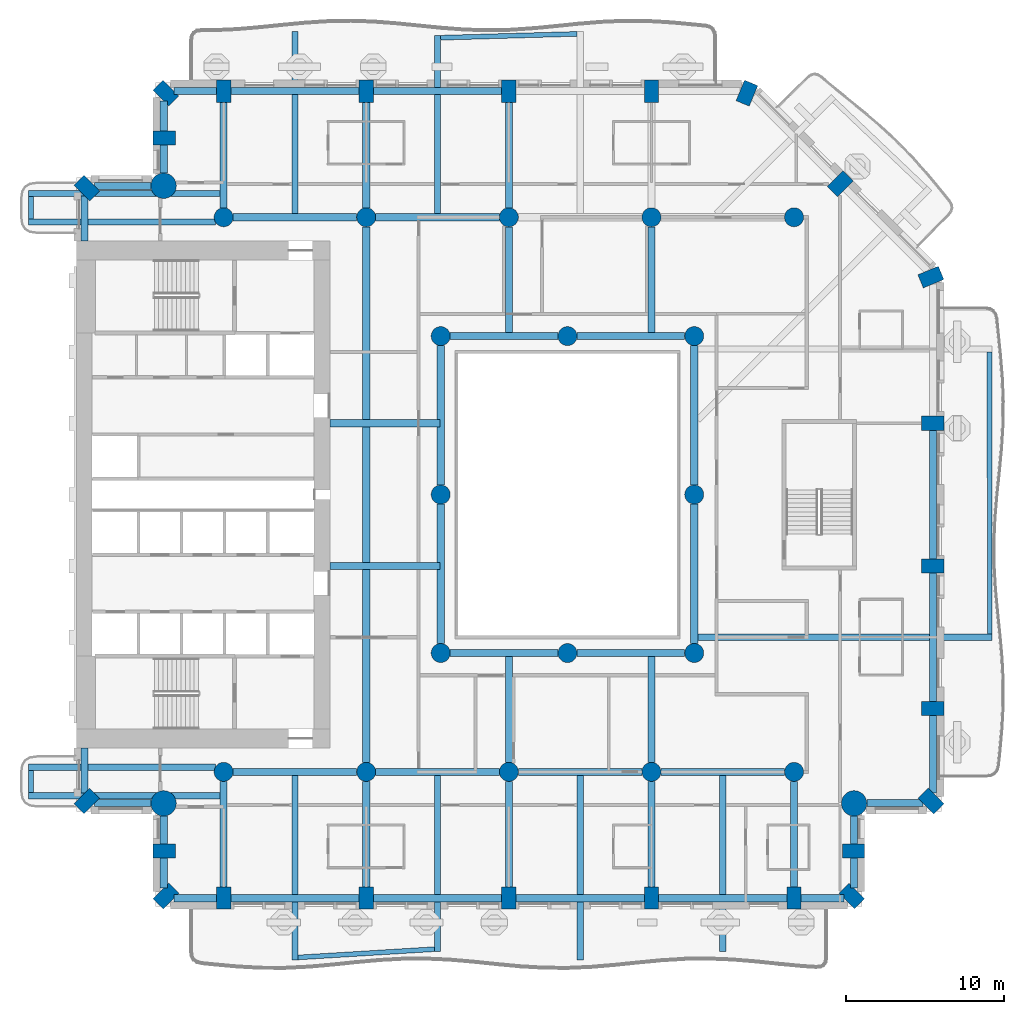
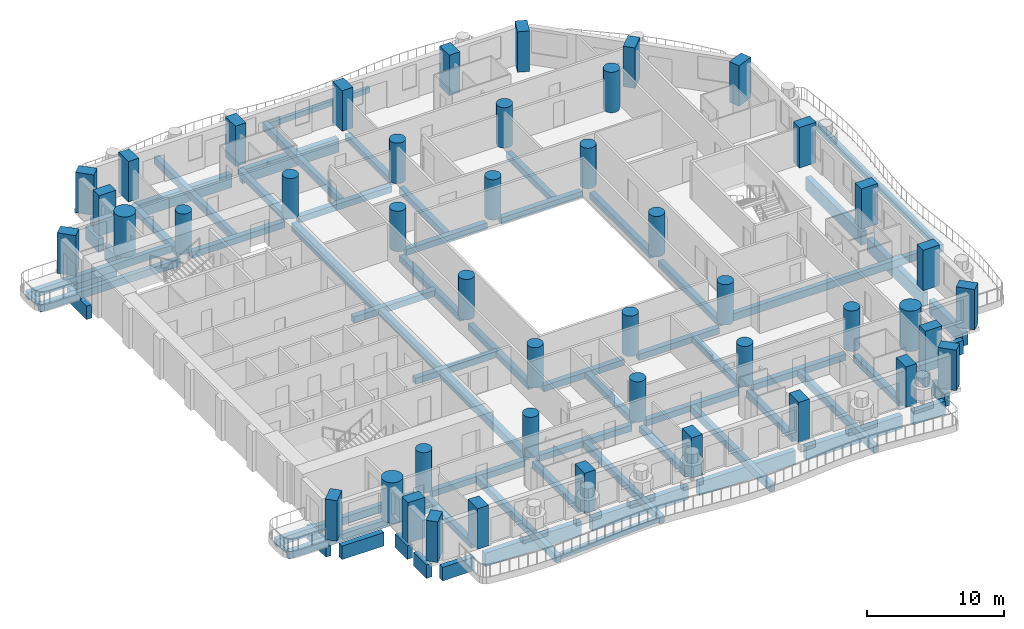
# One storey, part 1 of 19: 70 beams, 45 columns.
"""IFC4 building model written with IfcOpenShell, lengths in metres."""

from ifc_helpers import new_model, si_unit, direction, frame, origin, origin_2d, place, context, subcontext, project, spatial, rectangle, circle, extrude, material, material_profile, profile_set, type_object, element, save


model = new_model("IFC4")

# Units and contexts
model_context = context("Model", 3, precision=1e-05, world=origin(), true_north=direction((0.0, 1.0)))
body_context = subcontext(model_context, "Body", "Model", "MODEL_VIEW")
ifc_project = project(units=[si_unit("LENGTHUNIT", "METRE"), si_unit("AREAUNIT", "SQUARE_METRE"), si_unit("VOLUMEUNIT", "CUBIC_METRE"), si_unit("PLANEANGLEUNIT", "RADIAN"), si_unit("MASSUNIT", "GRAM", prefix="KILO")], contexts=[model_context])

# Site, building, storey
site_placement = place(None, origin())
site = spatial("IfcSite", under=ifc_project, at=site_placement, CompositionType="ELEMENT")
building_placement = place(site_placement, origin())
building = spatial("IfcBuilding", under=site, at=building_placement, Name="Cypress Arch Tower", CompositionType="ELEMENT")
storey_placement = place(building_placement, frame((0.0, 0.0, 69.89990234375)))
storey = spatial("IfcBuildingStorey", under=building, at=storey_placement, Name="L11", CompositionType="ELEMENT", Elevation=69.89990234375)

# Columns
ifc_material_1 = material(Name="Concrete C80/95", Category="concrete")
ifc_material_profile_1 = material_profile(ifc_material_1, rectangle(XDim=0.89990234375, YDim=1.39990234375, at=origin_2d()), Name="RC 900x1400")
ifc_profile_set_1 = profile_set([ifc_material_profile_1], Name="Concrete C80/95")
column_type_1 = type_object("IfcColumnType", Name="Column RC 900x1400 Concrete C80/95", PredefinedType="COLUMN", material=ifc_profile_set_1)
for number, where, z_axis, x_axis, name in (
    (1, (-29.3369140625, 19.3369140625, 0.0), (0.0, 0.0, 1.0), (-0.707106781187, -0.707106781187, 0.0), "Column L11 CA00"),
    (2, (-29.3369140625, -19.3369140625, 0.0), (0.0, 0.0, 1.0), (0.707106781187, -0.707106781187, 0.0), "Column L11 CA01"),
    (3, (-24.449951171875, -22.5, 0.0), (0.0, 0.0, 1.0), (0.0, -1.0, 0.0), "Column L11 CA03"),
    (4, (-24.3369140625, -25.3369140625, 0.0), (0.0, 0.0, 1.0), (0.707106781187, -0.707106781187, 0.0), "Column L11 CA04"),
    (5, (-20.699951171875, -25.449951171875, 0.0), (0.0, 0.0, 1.0), (1.0, 0.0, 0.0), "Column L11 CA05"),
    (6, (-11.699951171875, -25.449951171875, 0.0), (0.0, 0.0, 1.0), (1.0, 0.0, 0.0), "Column L11 CA06"),
    (7, (-2.699951171875, -25.449951171875, 0.0), (0.0, 0.0, 1.0), (1.0, 0.0, 0.0), "Column L11 CA07"),
    (8, (6.300048828125, -25.449951171875, 0.0), (0.0, 0.0, 1.0), (1.0, 0.0, 0.0), "Column L11 CA08"),
    (9, (15.300048828125, -25.449951171875, 0.0), (0.0, 0.0, 1.0), (1.0, 0.0, 0.0), "Column L11 CA09"),
    (10, (18.936767578125, -25.3369140625, 0.0), (0.0, 0.0, 1.0), (0.707106781187, 0.707106781187, 0.0), "Column L11 CA10"),
    (11, (19.050048828125, -22.5, 0.0), (0.0, 0.0, 1.0), (0.0, 1.0, 0.0), "Column L11 CA11"),
    (12, (23.936767578125, -19.3369140625, 0.0), (0.0, 0.0, 1.0), (0.707106781187, 0.707106781187, 0.0), "Column L11 CA13"),
    (13, (24.050048828125, -13.5, 0.0), (0.0, 0.0, 1.0), (0.0, 1.0, 0.0), "Column L11 CA14"),
    (14, (24.050048828125, -4.5, 0.0), (0.0, 0.0, 1.0), (0.0, 1.0, 0.0), "Column L11 CA15"),
    (15, (24.050048828125, 4.5, 0.0), (0.0, 0.0, 1.0), (0.0, 1.0, 0.0), "Column L11 CA16"),
    (16, (23.93115234375, 13.722900390625, 0.0), (0.0, 0.0, 1.0), (-0.382683496864, 0.923879505795, 0.0), "Column L11 CA17"),
    (17, (18.211181640625, 19.611083984375, 0.0), (0.0, 0.0, 1.0), (-0.707106781187, 0.707106781187, 0.0), "Column L11 CA18"),
    (18, (12.322998046875, 25.3310546875, 0.0), (0.0, 0.0, 1.0), (-0.923879505795, 0.382683496864, 0.0), "Column L11 CA19"),
    (19, (6.300048828125, 25.449951171875, 0.0), (0.0, 0.0, 1.0), (-1.0, 0.0, 0.0), "Column L11 CA20"),
    (20, (-2.699951171875, 25.449951171875, 0.0), (0.0, 0.0, 1.0), (-1.0, 0.0, 0.0), "Column L11 CA21"),
    (21, (-11.699951171875, 25.449951171875, 0.0), (0.0, 0.0, 1.0), (-1.0, 0.0, 0.0), "Column L11 CA22"),
    (22, (-20.699951171875, 25.449951171875, 0.0), (0.0, 0.0, 1.0), (-1.0, 0.0, 0.0), "Column L11 CA23"),
    (23, (-24.3369140625, 25.3369140625, 0.0), (0.0, 0.0, 1.0), (-0.707106781187, -0.707106781187, 0.0), "Column L11 CA24"),
    (24, (-24.449951171875, 22.5, 0.0), (0.0, 0.0, 1.0), (0.0, -1.0, 0.0), "Column L11 CA25"),
):
    element("IfcColumn", number, at=place(storey_placement, frame(where, z_axis=z_axis, x_axis=x_axis)), inside=storey, type_object=column_type_1, Name=name, PredefinedType="COLUMN", context=body_context, shape_type="SweptSolid", body=[
        extrude(rectangle(XDim=0.89990234375, YDim=1.39990234375, at=origin_2d()), origin(), (0.0, 0.0, 1.0), 3.60009765625),
    ])
ifc_material_2 = material(Name="Concrete C80/95", Category="concrete")
ifc_material_profile_2 = material_profile(ifc_material_2, circle(Radius=0.60009765625, at=origin_2d()), Name="RC D1200")
ifc_profile_set_2 = profile_set([ifc_material_profile_2], Name="Concrete C80/95")
column_type_2 = type_object("IfcColumnType", Name="Column RC D1200 Concrete C80/95", PredefinedType="COLUMN", material=ifc_profile_set_2)
for number, where, z_axis, x_axis, name in (
    (25, (-20.699951171875, -17.5, 0.0), (0.0, 0.0, 1.0), (1.0, 0.0, 0.0), "Column L11 CIC-L11-CI3S"),
    (26, (-11.699951171875, -17.5, 0.0), (0.0, 0.0, 1.0), (1.0, 0.0, 0.0), "Column L11 CIC-L11-CI4S"),
    (27, (-2.699951171875, -17.5, 0.0), (0.0, 0.0, 1.0), (1.0, 0.0, 0.0), "Column L11 CIC-L11-CI5S"),
    (28, (6.300048828125, -17.5, 0.0), (0.0, 0.0, 1.0), (1.0, 0.0, 0.0), "Column L11 CIC-L11-CI6S"),
    (29, (15.300048828125, -17.5, 0.0), (0.0, 0.0, 1.0), (1.0, 0.0, 0.0), "Column L11 CIC-L11-CI7S"),
    (30, (-20.699951171875, 17.5, 0.0), (0.0, 0.0, 1.0), (1.0, 0.0, 0.0), "Column L11 CIC-L11-CI3N"),
    (31, (-11.699951171875, 17.5, 0.0), (0.0, 0.0, 1.0), (1.0, 0.0, 0.0), "Column L11 CIC-L11-CI4N"),
    (32, (-2.699951171875, 17.5, 0.0), (0.0, 0.0, 1.0), (1.0, 0.0, 0.0), "Column L11 CIC-L11-CI5N"),
    (33, (6.300048828125, 17.5, 0.0), (0.0, 0.0, 1.0), (1.0, 0.0, 0.0), "Column L11 CIC-L11-CI6N"),
    (34, (15.300048828125, 17.5, 0.0), (0.0, 0.0, 1.0), (1.0, 0.0, 0.0), "Column L11 CIC-L11-CI7N"),
    (35, (-7.0, -10.0, 0.0), (0.0, 0.0, 1.0), (1.0, 0.0, 0.0), "Column L11 RNG-L11-G-7-10"),
    (36, (-7.0, 0.0, 0.0), (0.0, 0.0, 1.0), (1.0, 0.0, 0.0), "Column L11 RNG-L11-G-7+0"),
    (37, (-7.0, 10.0, 0.0), (0.0, 0.0, 1.0), (1.0, 0.0, 0.0), "Column L11 RNG-L11-G-7+10"),
    (38, (1.0, -10.0, 0.0), (0.0, 0.0, 1.0), (1.0, 0.0, 0.0), "Column L11 RNG-L11-G+1-10"),
    (39, (1.0, 10.0, 0.0), (0.0, 0.0, 1.0), (1.0, 0.0, 0.0), "Column L11 RNG-L11-G+1+10"),
    (40, (9.0, -10.0, 0.0), (0.0, 0.0, 1.0), (1.0, 0.0, 0.0), "Column L11 RNG-L11-G+9-10"),
    (41, (9.0, 0.0, 0.0), (0.0, 0.0, 1.0), (1.0, 0.0, 0.0), "Column L11 RNG-L11-G+9+0"),
    (42, (9.0, 10.0, 0.0), (0.0, 0.0, 1.0), (1.0, 0.0, 0.0), "Column L11 RNG-L11-G+9+10"),
):
    element("IfcColumn", number, at=place(storey_placement, frame(where, z_axis=z_axis, x_axis=x_axis)), inside=storey, type_object=column_type_2, Name=name, PredefinedType="COLUMN", context=body_context, shape_type="SweptSolid", body=[
        extrude(circle(Radius=0.60009765625, at=origin_2d()), origin(), (0.0, 0.0, 1.0), 3.60009765625),
    ])
ifc_material_3 = material(Name="Concrete C80/95", Category="concrete")
ifc_material_profile_3 = material_profile(ifc_material_3, circle(Radius=0.800048828125, at=origin_2d()), Name="RC D1600")
ifc_profile_set_3 = profile_set([ifc_material_profile_3], Name="Concrete C80/95")
column_type_3 = type_object("IfcColumnType", Name="Mega-column RC D1600 Concrete C80/95", PredefinedType="COLUMN", material=ifc_profile_set_3)
for number, where, z_axis, x_axis, name in (
    (43, (-24.48779296875, -19.48779296875, 0.0), (0.0, 0.0, 1.0), (1.0, 0.0, 0.0), "Column L11 CA02"),
    (44, (19.087890625, -19.48779296875, 0.0), (0.0, 0.0, 1.0), (1.0, 0.0, 0.0), "Column L11 CA12"),
    (45, (-24.48779296875, 19.48779296875, 0.0), (0.0, 0.0, 1.0), (1.0, 0.0, 0.0), "Column L11 CA26"),
):
    element("IfcColumn", number, at=place(storey_placement, frame(where, z_axis=z_axis, x_axis=x_axis)), inside=storey, type_object=column_type_3, Name=name, PredefinedType="COLUMN", context=body_context, shape_type="SweptSolid", body=[
        extrude(circle(Radius=0.800048828125, at=origin_2d()), origin(), (0.0, 0.0, 1.0), 3.60009765625),
    ])

# Beams
ifc_material_4 = material(Name="Concrete C50/60", Category="concrete")
ifc_material_profile_4 = material_profile(ifc_material_4, rectangle(XDim=0.300048828125, YDim=0.449951171875, at=origin_2d()), Name="RC 300x450")
ifc_profile_set_4 = profile_set([ifc_material_profile_4], Name="Concrete C50/60")
beam_type_1 = type_object("IfcBeamType", Name="Balcony edge beam RC 300x450 Concrete C50/60", PredefinedType="BEAM", material=ifc_profile_set_4)
beam_1_placement = place(storey_placement, frame((-16.0, -29.2109375, -0.52490234375), z_axis=(0.998164917235, 0.060554091527, 0.0), x_axis=(-0.060554091527, 0.998164917235, 0.0)))
element("IfcBeam", 46, at=beam_1_placement, inside=storey, type_object=beam_type_1, Name="Balcony edge beam L11 A03", PredefinedType="BEAM", context=body_context, shape_type="SweptSolid", body=[
    extrude(rectangle(XDim=0.300048828125, YDim=0.449951171875, at=origin_2d()), origin(), (0.0, 0.0, 1.0), 8.615966796875),
])
beam_2_placement = place(storey_placement, frame((1.60009765625, 29.07080078125, -0.52490234375), z_axis=(-0.999607696641, -0.02800808484, 0.0), x_axis=(0.02800808484, -0.999607696641, 0.0)))
element("IfcBeam", 47, at=beam_2_placement, inside=storey, type_object=beam_type_1, Name="Balcony edge beam L11 A08", PredefinedType="BEAM", context=body_context, shape_type="SweptSolid", body=[
    extrude(rectangle(XDim=0.300048828125, YDim=0.449951171875, at=origin_2d()), origin(), (0.0, 0.0, 1.0), 8.603515625),
])
ifc_material_5 = material(Name="Concrete C50/60", Category="concrete")
ifc_material_profile_5 = material_profile(ifc_material_5, rectangle(XDim=0.300048828125, YDim=0.64990234375, at=origin_2d()), Name="RC 300x650")
ifc_profile_set_5 = profile_set([ifc_material_profile_5], Name="Concrete C50/60")
beam_type_2 = type_object("IfcBeamType", Name="Balcony edge beam RC 300x650 Concrete C50/60", PredefinedType="BEAM", material=ifc_profile_set_5)
beam_3_placement = place(storey_placement, frame((27.6513671875, -8.800048828125, -0.625), z_axis=(-0.001070560333, 0.99999942695, 0.0), x_axis=(-0.99999942695, -0.001070560333, 0.0)))
element("IfcBeam", 48, at=beam_3_placement, inside=storey, type_object=beam_type_2, Name="Balcony edge beam L11 A06", PredefinedType="BEAM", context=body_context, shape_type="SweptSolid", body=[
    extrude(rectangle(XDim=0.300048828125, YDim=0.64990234375, at=origin_2d()), origin(), (0.0, 0.0, 1.0), 17.787841796875),
])
ifc_material_6 = material(Name="Concrete C50/60", Category="concrete")
ifc_material_profile_6 = material_profile(ifc_material_6, rectangle(XDim=0.300048828125, YDim=0.39990234375, at=origin_2d()), Name="RC 300x400")
ifc_profile_set_6 = profile_set([ifc_material_profile_6], Name="Concrete C50/60")
beam_type_3 = type_object("IfcBeamType", Name="Balcony stub beam RC 300x400 Concrete C50/60", PredefinedType="BEAM", material=ifc_profile_set_6)
for number, where, z_axis, x_axis, name in (
    (49, (-32.85009765625, 18.800048828125, -0.5), (0.0, -1.0, 0.0), (1.0, 0.0, 0.0), "Balcony stub beam L11 A00W0"),
    (50, (-32.85009765625, -17.39990234375, -0.5), (0.0, -1.0, 0.0), (1.0, 0.0, 0.0), "Balcony stub beam L11 A00W1"),
):
    element("IfcBeam", number, at=place(storey_placement, frame(where, z_axis=z_axis, x_axis=x_axis)), inside=storey, type_object=beam_type_3, Name=name, PredefinedType="BEAM", context=body_context, shape_type="SweptSolid", body=[
        extrude(rectangle(XDim=0.300048828125, YDim=0.39990234375, at=origin_2d()), origin(), (0.0, 0.0, 1.0), 1.400146484375),
    ])
ifc_material_7 = material(Name="Concrete C50/60", Category="concrete")
ifc_material_profile_7 = material_profile(ifc_material_7, rectangle(XDim=0.39990234375, YDim=0.64990234375, at=origin_2d()), Name="RC 400x650")
ifc_profile_set_7 = profile_set([ifc_material_profile_7], Name="Concrete C50/60")
beam_type_4 = type_object("IfcBeamType", Name="Cantilever beam RC 400x650 Concrete C50/60", PredefinedType="BEAM", material=ifc_profile_set_7)
beam_4_placement = place(storey_placement, frame((-20.925048828125, 19.0, -0.625), z_axis=(-1.0, 0.0, 0.0), x_axis=(0.0, -1.0, 0.0)))
element("IfcBeam", 51, at=beam_4_placement, inside=storey, type_object=beam_type_4, Name="Cantilever beam L11 A00 1", PredefinedType="BEAM", context=body_context, shape_type="SweptSolid", body=[
    extrude(rectangle(XDim=0.39990234375, YDim=0.64990234375, at=origin_2d()), origin(), (0.0, 0.0, 1.0), 12.074951171875),
])
for number, where, z_axis, x_axis, name in (
    (52, (-21.219482421875, 17.199951171875, -0.625), (-1.0, 0.0, 0.0), (0.0, -1.0, 0.0), "Cantilever beam L11 A00 2"),
    (53, (-21.219482421875, -17.199951171875, -0.625), (-1.0, 0.0, 0.0), (0.0, -1.0, 0.0), "Cantilever beam L11 A00 1"),
):
    element("IfcBeam", number, at=place(storey_placement, frame(where, z_axis=z_axis, x_axis=x_axis)), inside=storey, type_object=beam_type_4, Name=name, PredefinedType="BEAM", context=body_context, shape_type="SweptSolid", body=[
        extrude(rectangle(XDim=0.39990234375, YDim=0.64990234375, at=origin_2d()), origin(), (0.0, 0.0, 1.0), 11.780517578125),
    ])
beam_5_placement = place(storey_placement, frame((-20.925048828125, -19.0, -0.625), z_axis=(-1.0, 0.0, 0.0), x_axis=(0.0, -1.0, 0.0)))
element("IfcBeam", 54, at=beam_5_placement, inside=storey, type_object=beam_type_4, Name="Cantilever beam L11 A00 2", PredefinedType="BEAM", context=body_context, shape_type="SweptSolid", body=[
    extrude(rectangle(XDim=0.39990234375, YDim=0.64990234375, at=origin_2d()), origin(), (0.0, 0.0, 1.0), 12.074951171875),
])
beam_6_placement = place(storey_placement, frame((-16.199951171875, -17.72509765625, -0.625), z_axis=(0.0, -1.0, 0.0), x_axis=(1.0, 0.0, 0.0)))
element("IfcBeam", 55, at=beam_6_placement, inside=storey, type_object=beam_type_4, Name="Cantilever beam L11 A03 1", PredefinedType="BEAM", context=body_context, shape_type="SweptSolid", body=[
    extrude(rectangle(XDim=0.39990234375, YDim=0.64990234375, at=origin_2d()), origin(), (0.0, 0.0, 1.0), 11.635986328125),
])
beam_7_placement = place(storey_placement, frame((-7.199951171875, -17.72509765625, -0.625), z_axis=(0.0, -1.0, 0.0), x_axis=(1.0, 0.0, 0.0)))
element("IfcBeam", 56, at=beam_7_placement, inside=storey, type_object=beam_type_4, Name="Cantilever beam L11 A03 2", PredefinedType="BEAM", context=body_context, shape_type="SweptSolid", body=[
    extrude(rectangle(XDim=0.39990234375, YDim=0.64990234375, at=origin_2d()), origin(), (0.0, 0.0, 1.0), 11.1142578125),
])
beam_8_placement = place(storey_placement, frame((1.800048828125, -17.72509765625, -0.625), z_axis=(0.0, -1.0, 0.0), x_axis=(1.0, 0.0, 0.0)))
element("IfcBeam", 57, at=beam_8_placement, inside=storey, type_object=beam_type_4, Name="Cantilever beam L11 A03 3", PredefinedType="BEAM", context=body_context, shape_type="SweptSolid", body=[
    extrude(rectangle(XDim=0.39990234375, YDim=0.64990234375, at=origin_2d()), origin(), (0.0, 0.0, 1.0), 11.635498046875),
])
beam_9_placement = place(storey_placement, frame((10.800048828125, -17.72509765625, -0.625), z_axis=(0.0, -1.0, 0.0), x_axis=(1.0, 0.0, 0.0)))
element("IfcBeam", 58, at=beam_9_placement, inside=storey, type_object=beam_type_4, Name="Cantilever beam L11 A03 4", PredefinedType="BEAM", context=body_context, shape_type="SweptSolid", body=[
    extrude(rectangle(XDim=0.39990234375, YDim=0.64990234375, at=origin_2d()), origin(), (0.0, 0.0, 1.0), 11.114013671875),
])
beam_10_placement = place(storey_placement, frame((9.22509765625, -9.0, -0.625), z_axis=(1.0, 0.0, 0.0), x_axis=(0.0, 1.0, 0.0)))
element("IfcBeam", 59, at=beam_10_placement, inside=storey, type_object=beam_type_4, Name="Cantilever beam L11 A06 1", PredefinedType="BEAM", context=body_context, shape_type="SweptSolid", body=[
    extrude(rectangle(XDim=0.39990234375, YDim=0.64990234375, at=origin_2d()), origin(), (0.0, 0.0, 1.0), 18.576416015625),
])
beam_11_placement = place(storey_placement, frame((-7.199951171875, 17.72509765625, -0.625), z_axis=(0.0, 1.0, 0.0), x_axis=(-1.0, 0.0, 0.0)))
element("IfcBeam", 60, at=beam_11_placement, inside=storey, type_object=beam_type_4, Name="Cantilever beam L11 A08 2", PredefinedType="BEAM", context=body_context, shape_type="SweptSolid", body=[
    extrude(rectangle(XDim=0.39990234375, YDim=0.64990234375, at=origin_2d()), origin(), (0.0, 0.0, 1.0), 11.254638671875),
])
beam_12_placement = place(storey_placement, frame((-16.199951171875, 17.72509765625, -0.625), z_axis=(0.0, 1.0, 0.0), x_axis=(-1.0, 0.0, 0.0)))
element("IfcBeam", 61, at=beam_12_placement, inside=storey, type_object=beam_type_4, Name="Cantilever beam L11 A08 3", PredefinedType="BEAM", context=body_context, shape_type="SweptSolid", body=[
    extrude(rectangle(XDim=0.39990234375, YDim=0.64990234375, at=origin_2d()), origin(), (0.0, 0.0, 1.0), 11.4931640625),
])
ifc_material_8 = material(Name="Concrete C50/60", Category="concrete")
ifc_material_profile_8 = material_profile(ifc_material_8, rectangle(XDim=0.449951171875, YDim=0.550048828125, at=origin_2d()), Name="RC 450x550")
ifc_profile_set_8 = profile_set([ifc_material_profile_8], Name="Concrete C50/60")
beam_type_5 = type_object("IfcBeamType", Name="Floor beam RC 450x550 Concrete C50/60", PredefinedType="BEAM", material=ifc_profile_set_8)
for number, where, z_axis, x_axis, name in (
    (62, (-7.0, -9.39990234375, -0.574951171875), (0.0, 1.0, 0.0), (-1.0, 0.0, 0.0), "Floor beam L11 RB001"),
    (63, (-7.0, 0.60009765625, -0.574951171875), (0.0, 1.0, 0.0), (-1.0, 0.0, 0.0), "Floor beam L11 RB002"),
    (64, (9.0, -9.39990234375, -0.574951171875), (0.0, 1.0, 0.0), (-1.0, 0.0, 0.0), "Floor beam L11 RB003"),
    (65, (9.0, 0.60009765625, -0.574951171875), (0.0, 1.0, 0.0), (-1.0, 0.0, 0.0), "Floor beam L11 RB004"),
):
    element("IfcBeam", number, at=place(storey_placement, frame(where, z_axis=z_axis, x_axis=x_axis)), inside=storey, type_object=beam_type_5, Name=name, PredefinedType="BEAM", context=body_context, shape_type="SweptSolid", body=[
        extrude(rectangle(XDim=0.449951171875, YDim=0.550048828125, at=origin_2d()), origin(), (0.0, 0.0, 1.0), 8.7998046875),
    ])
for number, where, z_axis, x_axis, name in (
    (66, (-6.39990234375, -10.0, -0.574951171875), (1.0, 0.0, 0.0), (0.0, 1.0, 0.0), "Floor beam L11 RB005"),
    (67, (1.60009765625, -10.0, -0.574951171875), (1.0, 0.0, 0.0), (0.0, 1.0, 0.0), "Floor beam L11 RB006"),
    (68, (-6.39990234375, 10.0, -0.574951171875), (1.0, 0.0, 0.0), (0.0, 1.0, 0.0), "Floor beam L11 RB007"),
    (69, (1.60009765625, 10.0, -0.574951171875), (1.0, 0.0, 0.0), (0.0, 1.0, 0.0), "Floor beam L11 RB008"),
):
    element("IfcBeam", number, at=place(storey_placement, frame(where, z_axis=z_axis, x_axis=x_axis)), inside=storey, type_object=beam_type_5, Name=name, PredefinedType="BEAM", context=body_context, shape_type="SweptSolid", body=[
        extrude(rectangle(XDim=0.449951171875, YDim=0.550048828125, at=origin_2d()), origin(), (0.0, 0.0, 1.0), 6.7998046875),
    ])
for number, where, z_axis, x_axis, name in (
    (70, (-20.10009765625, -17.5, -0.574951171875), (1.0, 0.0, 0.0), (0.0, 1.0, 0.0), "Floor beam L11 FB009"),
    (71, (-11.10009765625, -17.5, -0.574951171875), (1.0, 0.0, 0.0), (0.0, 1.0, 0.0), "Floor beam L11 FB010"),
    (72, (-2.10009765625, -17.5, -0.574951171875), (1.0, 0.0, 0.0), (0.0, 1.0, 0.0), "Floor beam L11 FB011"),
    (73, (6.89990234375, -17.5, -0.574951171875), (1.0, 0.0, 0.0), (0.0, 1.0, 0.0), "Floor beam L11 FB012"),
):
    element("IfcBeam", number, at=place(storey_placement, frame(where, z_axis=z_axis, x_axis=x_axis)), inside=storey, type_object=beam_type_5, Name=name, PredefinedType="BEAM", context=body_context, shape_type="SweptSolid", body=[
        extrude(rectangle(XDim=0.449951171875, YDim=0.550048828125, at=origin_2d()), origin(), (0.0, 0.0, 1.0), 7.800048828125),
    ])
for number, where, z_axis, x_axis, name in (
    (74, (-14.0, -4.5, -0.574951171875), (1.0, 0.0, 0.0), (0.0, 1.0, 0.0), "Floor beam L11 FB013"),
    (75, (-14.0, 4.5, -0.574951171875), (1.0, 0.0, 0.0), (0.0, 1.0, 0.0), "Floor beam L11 FB014"),
):
    element("IfcBeam", number, at=place(storey_placement, frame(where, z_axis=z_axis, x_axis=x_axis)), inside=storey, type_object=beam_type_5, Name=name, PredefinedType="BEAM", context=body_context, shape_type="SweptSolid", body=[
        extrude(rectangle(XDim=0.449951171875, YDim=0.550048828125, at=origin_2d()), origin(), (0.0, 0.0, 1.0), 6.949951171875),
    ])
for number, where, z_axis, x_axis, name in (
    (76, (-20.10009765625, 17.5, -0.574951171875), (1.0, 0.0, 0.0), (0.0, 1.0, 0.0), "Floor beam L11 FB015"),
    (77, (-11.10009765625, 17.5, -0.574951171875), (1.0, 0.0, 0.0), (0.0, 1.0, 0.0), "Floor beam L11 FB016"),
):
    element("IfcBeam", number, at=place(storey_placement, frame(where, z_axis=z_axis, x_axis=x_axis)), inside=storey, type_object=beam_type_5, Name=name, PredefinedType="BEAM", context=body_context, shape_type="SweptSolid", body=[
        extrude(rectangle(XDim=0.449951171875, YDim=0.550048828125, at=origin_2d()), origin(), (0.0, 0.0, 1.0), 7.800048828125),
    ])
for number, where, z_axis, x_axis, name in (
    (78, (-20.699951171875, -24.75, -0.574951171875), (0.0, 1.0, 0.0), (-1.0, 0.0, 0.0), "Floor beam L11 FB019"),
    (79, (-20.699951171875, 18.10009765625, -0.574951171875), (0.0, 1.0, 0.0), (-1.0, 0.0, 0.0), "Floor beam L11 FB020"),
    (80, (-11.699951171875, -24.75, -0.574951171875), (0.0, 1.0, 0.0), (-1.0, 0.0, 0.0), "Floor beam L11 FB021"),
):
    element("IfcBeam", number, at=place(storey_placement, frame(where, z_axis=z_axis, x_axis=x_axis)), inside=storey, type_object=beam_type_5, Name=name, PredefinedType="BEAM", context=body_context, shape_type="SweptSolid", body=[
        extrude(rectangle(XDim=0.449951171875, YDim=0.550048828125, at=origin_2d()), origin(), (0.0, 0.0, 1.0), 6.64990234375),
    ])
beam_13_placement = place(storey_placement, frame((-11.699951171875, -4.27490234375, -0.574951171875), z_axis=(0.0, 1.0, 0.0), x_axis=(-1.0, 0.0, 0.0)))
element("IfcBeam", 81, at=beam_13_placement, inside=storey, type_object=beam_type_5, Name="Floor beam L11 FB023", PredefinedType="BEAM", context=body_context, shape_type="SweptSolid", body=[
    extrude(rectangle(XDim=0.449951171875, YDim=0.550048828125, at=origin_2d()), origin(), (0.0, 0.0, 1.0), 8.5498046875),
])
for number, where, z_axis, x_axis, name in (
    (82, (-11.699951171875, 18.10009765625, -0.574951171875), (0.0, 1.0, 0.0), (-1.0, 0.0, 0.0), "Floor beam L11 FB025"),
    (83, (-2.699951171875, -24.75, -0.574951171875), (0.0, 1.0, 0.0), (-1.0, 0.0, 0.0), "Floor beam L11 FB026"),
):
    element("IfcBeam", number, at=place(storey_placement, frame(where, z_axis=z_axis, x_axis=x_axis)), inside=storey, type_object=beam_type_5, Name=name, PredefinedType="BEAM", context=body_context, shape_type="SweptSolid", body=[
        extrude(rectangle(XDim=0.449951171875, YDim=0.550048828125, at=origin_2d()), origin(), (0.0, 0.0, 1.0), 6.64990234375),
    ])
for number, where, z_axis, x_axis, name in (
    (84, (-2.699951171875, -16.89990234375, -0.574951171875), (0.0, 1.0, 0.0), (-1.0, 0.0, 0.0), "Floor beam L11 FB027"),
    (85, (-2.699951171875, 10.22509765625, -0.574951171875), (0.0, 1.0, 0.0), (-1.0, 0.0, 0.0), "Floor beam L11 FB028"),
):
    element("IfcBeam", number, at=place(storey_placement, frame(where, z_axis=z_axis, x_axis=x_axis)), inside=storey, type_object=beam_type_5, Name=name, PredefinedType="BEAM", context=body_context, shape_type="SweptSolid", body=[
        extrude(rectangle(XDim=0.449951171875, YDim=0.550048828125, at=origin_2d()), origin(), (0.0, 0.0, 1.0), 6.6748046875),
    ])
for number, where, z_axis, x_axis, name in (
    (86, (-2.699951171875, 18.10009765625, -0.574951171875), (0.0, 1.0, 0.0), (-1.0, 0.0, 0.0), "Floor beam L11 FB029"),
    (87, (6.300048828125, -24.75, -0.574951171875), (0.0, 1.0, 0.0), (-1.0, 0.0, 0.0), "Floor beam L11 FB030"),
):
    element("IfcBeam", number, at=place(storey_placement, frame(where, z_axis=z_axis, x_axis=x_axis)), inside=storey, type_object=beam_type_5, Name=name, PredefinedType="BEAM", context=body_context, shape_type="SweptSolid", body=[
        extrude(rectangle(XDim=0.449951171875, YDim=0.550048828125, at=origin_2d()), origin(), (0.0, 0.0, 1.0), 6.64990234375),
    ])
for number, where, z_axis, x_axis, name in (
    (88, (6.300048828125, -16.89990234375, -0.574951171875), (0.0, 1.0, 0.0), (-1.0, 0.0, 0.0), "Floor beam L11 FB031"),
    (89, (6.300048828125, 10.22509765625, -0.574951171875), (0.0, 1.0, 0.0), (-1.0, 0.0, 0.0), "Floor beam L11 FB032"),
):
    element("IfcBeam", number, at=place(storey_placement, frame(where, z_axis=z_axis, x_axis=x_axis)), inside=storey, type_object=beam_type_5, Name=name, PredefinedType="BEAM", context=body_context, shape_type="SweptSolid", body=[
        extrude(rectangle(XDim=0.449951171875, YDim=0.550048828125, at=origin_2d()), origin(), (0.0, 0.0, 1.0), 6.6748046875),
    ])
beam_14_placement = place(storey_placement, frame((15.300048828125, -24.75, -0.574951171875), z_axis=(0.0, 1.0, 0.0), x_axis=(-1.0, 0.0, 0.0)))
element("IfcBeam", 90, at=beam_14_placement, inside=storey, type_object=beam_type_5, Name="Floor beam L11 FB034", PredefinedType="BEAM", context=body_context, shape_type="SweptSolid", body=[
    extrude(rectangle(XDim=0.449951171875, YDim=0.550048828125, at=origin_2d()), origin(), (0.0, 0.0, 1.0), 6.64990234375),
])
ifc_material_9 = material(Name="Concrete C50/60", Category="concrete")
ifc_material_profile_9 = material_profile(ifc_material_9, rectangle(XDim=0.5, YDim=0.699951171875, at=origin_2d()), Name="RC 500x700")
ifc_profile_set_9 = profile_set([ifc_material_profile_9], Name="Concrete C50/60")
beam_type_6 = type_object("IfcBeamType", Name="Floor beam RC 500x700 Concrete C50/60", PredefinedType="BEAM", material=ifc_profile_set_9)
for number, where, z_axis, x_axis, name in (
    (91, (-11.699951171875, -16.89990234375, -0.64990234375), (0.0, 1.0, 0.0), (-1.0, 0.0, 0.0), "Floor beam L11 FB022"),
    (92, (-11.699951171875, 4.72509765625, -0.64990234375), (0.0, 1.0, 0.0), (-1.0, 0.0, 0.0), "Floor beam L11 FB024"),
):
    element("IfcBeam", number, at=place(storey_placement, frame(where, z_axis=z_axis, x_axis=x_axis)), inside=storey, type_object=beam_type_6, Name=name, PredefinedType="BEAM", context=body_context, shape_type="SweptSolid", body=[
        extrude(rectangle(XDim=0.5, YDim=0.699951171875, at=origin_2d()), origin(), (0.0, 0.0, 1.0), 12.1748046875),
    ])
ifc_material_10 = material(Name="Concrete C50/60", Category="concrete")
ifc_material_profile_10 = material_profile(ifc_material_10, rectangle(XDim=0.449951171875, YDim=1.199951171875, at=origin_2d()), Name="RC 450x1200")
ifc_profile_set_10 = profile_set([ifc_material_profile_10], Name="Concrete C50/60")
beam_type_7 = type_object("IfcBeamType", Name="Spandrel beam RC 450x1200 Concrete C50/60", PredefinedType="SPANDREL", material=ifc_profile_set_10)
for number, where, z_axis, x_axis, name in (
    (93, (-29.47509765625, 18.838623046875, -1.5498046875), (0.0, -1.0, 0.0), (1.0, 0.0, 0.0), "Spandrel beam L11 BA00-0"),
    (94, (-29.47509765625, -16.0, -1.5498046875), (0.0, -1.0, 0.0), (1.0, 0.0, 0.0), "Spandrel beam L11 BA00-0"),
):
    element("IfcBeam", number, at=place(storey_placement, frame(where, z_axis=z_axis, x_axis=x_axis)), inside=storey, type_object=beam_type_7, Name=name, PredefinedType="SPANDREL", context=body_context, shape_type="SweptSolid", body=[
        extrude(rectangle(XDim=0.449951171875, YDim=1.199951171875, at=origin_2d()), origin(), (0.0, 0.0, 1.0), 2.838623046875),
    ])
beam_15_placement = place(storey_placement, frame((-28.838623046875, -19.47509765625, -1.5498046875), z_axis=(1.0, 0.0, 0.0), x_axis=(0.0, 1.0, 0.0)))
element("IfcBeam", 95, at=beam_15_placement, inside=storey, type_object=beam_type_7, Name="Spandrel beam L11 BA01-0", PredefinedType="SPANDREL", context=body_context, shape_type="SweptSolid", body=[
    extrude(rectangle(XDim=0.449951171875, YDim=1.199951171875, at=origin_2d()), origin(), (0.0, 0.0, 1.0), 3.551025390625),
])
beam_16_placement = place(storey_placement, frame((-24.47509765625, -20.28759765625, -1.5498046875), z_axis=(0.0, -1.0, 0.0), x_axis=(1.0, 0.0, 0.0)))
element("IfcBeam", 96, at=beam_16_placement, inside=storey, type_object=beam_type_7, Name="Spandrel beam L11 BA02-0", PredefinedType="SPANDREL", context=body_context, shape_type="SweptSolid", body=[
    extrude(rectangle(XDim=0.449951171875, YDim=1.199951171875, at=origin_2d()), origin(), (0.0, 0.0, 1.0), 1.762451171875),
])
beam_17_placement = place(storey_placement, frame((-24.47509765625, -22.949951171875, -1.5498046875), z_axis=(0.0, -1.0, 0.0), x_axis=(1.0, 0.0, 0.0)))
element("IfcBeam", 97, at=beam_17_placement, inside=storey, type_object=beam_type_7, Name="Spandrel beam L11 BA02-1", PredefinedType="SPANDREL", context=body_context, shape_type="SweptSolid", body=[
    extrude(rectangle(XDim=0.449951171875, YDim=1.199951171875, at=origin_2d()), origin(), (0.0, 0.0, 1.0), 1.888671875),
])
beam_18_placement = place(storey_placement, frame((-23.838623046875, -25.47509765625, -1.5498046875), z_axis=(1.0, 0.0, 0.0), x_axis=(0.0, 1.0, 0.0)))
element("IfcBeam", 98, at=beam_18_placement, inside=storey, type_object=beam_type_7, Name="Spandrel beam L11 BA03-0", PredefinedType="SPANDREL", context=body_context, shape_type="SweptSolid", body=[
    extrude(rectangle(XDim=0.449951171875, YDim=1.199951171875, at=origin_2d()), origin(), (0.0, 0.0, 1.0), 2.688720703125),
])
for number, where, z_axis, x_axis, name in (
    (99, (-20.25, -25.47509765625, -1.5498046875), (1.0, 0.0, 0.0), (0.0, 1.0, 0.0), "Spandrel beam L11 BA03-1"),
    (100, (-11.25, -25.47509765625, -1.5498046875), (1.0, 0.0, 0.0), (0.0, 1.0, 0.0), "Spandrel beam L11 BA03-2"),
    (101, (-2.25, -25.47509765625, -1.5498046875), (1.0, 0.0, 0.0), (0.0, 1.0, 0.0), "Spandrel beam L11 BA03-3"),
    (102, (6.75, -25.47509765625, -1.5498046875), (1.0, 0.0, 0.0), (0.0, 1.0, 0.0), "Spandrel beam L11 BA03-4"),
):
    element("IfcBeam", number, at=place(storey_placement, frame(where, z_axis=z_axis, x_axis=x_axis)), inside=storey, type_object=beam_type_7, Name=name, PredefinedType="SPANDREL", context=body_context, shape_type="SweptSolid", body=[
        extrude(rectangle(XDim=0.449951171875, YDim=1.199951171875, at=origin_2d()), origin(), (0.0, 0.0, 1.0), 8.10009765625),
    ])
beam_19_placement = place(storey_placement, frame((15.75, -25.47509765625, -1.5498046875), z_axis=(1.0, 0.0, 0.0), x_axis=(0.0, 1.0, 0.0)))
element("IfcBeam", 103, at=beam_19_placement, inside=storey, type_object=beam_type_7, Name="Spandrel beam L11 BA03-5", PredefinedType="SPANDREL", context=body_context, shape_type="SweptSolid", body=[
    extrude(rectangle(XDim=0.449951171875, YDim=1.199951171875, at=origin_2d()), origin(), (0.0, 0.0, 1.0), 2.688720703125),
])
beam_20_placement = place(storey_placement, frame((19.074951171875, -24.838623046875, -1.5498046875), z_axis=(0.0, 1.0, 0.0), x_axis=(-1.0, 0.0, 0.0)))
element("IfcBeam", 104, at=beam_20_placement, inside=storey, type_object=beam_type_7, Name="Spandrel beam L11 BA04-0", PredefinedType="SPANDREL", context=body_context, shape_type="SweptSolid", body=[
    extrude(rectangle(XDim=0.449951171875, YDim=1.199951171875, at=origin_2d()), origin(), (0.0, 0.0, 1.0), 1.888671875),
])
beam_21_placement = place(storey_placement, frame((19.074951171875, -22.050048828125, -1.5498046875), z_axis=(0.0, 1.0, 0.0), x_axis=(-1.0, 0.0, 0.0)))
element("IfcBeam", 105, at=beam_21_placement, inside=storey, type_object=beam_type_7, Name="Spandrel beam L11 BA04-1", PredefinedType="SPANDREL", context=body_context, shape_type="SweptSolid", body=[
    extrude(rectangle(XDim=0.449951171875, YDim=1.199951171875, at=origin_2d()), origin(), (0.0, 0.0, 1.0), 1.762451171875),
])
beam_22_placement = place(storey_placement, frame((19.887451171875, -19.47509765625, -1.5498046875), z_axis=(1.0, 0.0, 0.0), x_axis=(0.0, 1.0, 0.0)))
element("IfcBeam", 106, at=beam_22_placement, inside=storey, type_object=beam_type_7, Name="Spandrel beam L11 BA05-0", PredefinedType="SPANDREL", context=body_context, shape_type="SweptSolid", body=[
    extrude(rectangle(XDim=0.449951171875, YDim=1.199951171875, at=origin_2d()), origin(), (0.0, 0.0, 1.0), 3.55126953125),
])
beam_23_placement = place(storey_placement, frame((24.074951171875, -18.838623046875, -1.5498046875), z_axis=(0.0, 1.0, 0.0), x_axis=(-1.0, 0.0, 0.0)))
element("IfcBeam", 107, at=beam_23_placement, inside=storey, type_object=beam_type_7, Name="Spandrel beam L11 BA06-0", PredefinedType="SPANDREL", context=body_context, shape_type="SweptSolid", body=[
    extrude(rectangle(XDim=0.449951171875, YDim=1.199951171875, at=origin_2d()), origin(), (0.0, 0.0, 1.0), 4.888671875),
])
for number, where, z_axis, x_axis, name in (
    (108, (24.074951171875, -13.050048828125, -1.5498046875), (0.0, 1.0, 0.0), (-1.0, 0.0, 0.0), "Spandrel beam L11 BA06-1"),
    (109, (24.074951171875, -4.050048828125, -1.5498046875), (0.0, 1.0, 0.0), (-1.0, 0.0, 0.0), "Spandrel beam L11 BA06-2"),
    (110, (-3.14990234375, 25.47509765625, -1.5498046875), (-1.0, 0.0, 0.0), (0.0, -1.0, 0.0), "Spandrel beam L11 BA08-2"),
    (111, (-12.14990234375, 25.47509765625, -1.5498046875), (-1.0, 0.0, 0.0), (0.0, -1.0, 0.0), "Spandrel beam L11 BA08-3"),
):
    element("IfcBeam", number, at=place(storey_placement, frame(where, z_axis=z_axis, x_axis=x_axis)), inside=storey, type_object=beam_type_7, Name=name, PredefinedType="SPANDREL", context=body_context, shape_type="SweptSolid", body=[
        extrude(rectangle(XDim=0.449951171875, YDim=1.199951171875, at=origin_2d()), origin(), (0.0, 0.0, 1.0), 8.10009765625),
    ])
beam_24_placement = place(storey_placement, frame((-21.14990234375, 25.47509765625, -1.5498046875), z_axis=(-1.0, 0.0, 0.0), x_axis=(0.0, -1.0, 0.0)))
element("IfcBeam", 112, at=beam_24_placement, inside=storey, type_object=beam_type_7, Name="Spandrel beam L11 BA08-4", PredefinedType="SPANDREL", context=body_context, shape_type="SweptSolid", body=[
    extrude(rectangle(XDim=0.449951171875, YDim=1.199951171875, at=origin_2d()), origin(), (0.0, 0.0, 1.0), 2.688720703125),
])
beam_25_placement = place(storey_placement, frame((-24.47509765625, 24.838623046875, -1.5498046875), z_axis=(0.0, -1.0, 0.0), x_axis=(1.0, 0.0, 0.0)))
element("IfcBeam", 113, at=beam_25_placement, inside=storey, type_object=beam_type_7, Name="Spandrel beam L11 BA09-0", PredefinedType="SPANDREL", context=body_context, shape_type="SweptSolid", body=[
    extrude(rectangle(XDim=0.449951171875, YDim=1.199951171875, at=origin_2d()), origin(), (0.0, 0.0, 1.0), 1.888671875),
])
beam_26_placement = place(storey_placement, frame((-24.47509765625, 22.050048828125, -1.5498046875), z_axis=(0.0, -1.0, 0.0), x_axis=(1.0, 0.0, 0.0)))
element("IfcBeam", 114, at=beam_26_placement, inside=storey, type_object=beam_type_7, Name="Spandrel beam L11 BA09-1", PredefinedType="SPANDREL", context=body_context, shape_type="SweptSolid", body=[
    extrude(rectangle(XDim=0.449951171875, YDim=1.199951171875, at=origin_2d()), origin(), (0.0, 0.0, 1.0), 1.762451171875),
])
beam_27_placement = place(storey_placement, frame((-25.28759765625, 19.47509765625, -1.5498046875), z_axis=(-1.0, 0.0, 0.0), x_axis=(0.0, -1.0, 0.0)))
element("IfcBeam", 115, at=beam_27_placement, inside=storey, type_object=beam_type_7, Name="Spandrel beam L11 BA10-0", PredefinedType="SPANDREL", context=body_context, shape_type="SweptSolid", body=[
    extrude(rectangle(XDim=0.449951171875, YDim=1.199951171875, at=origin_2d()), origin(), (0.0, 0.0, 1.0), 3.551025390625),
])

save(model, "model.ifc")
